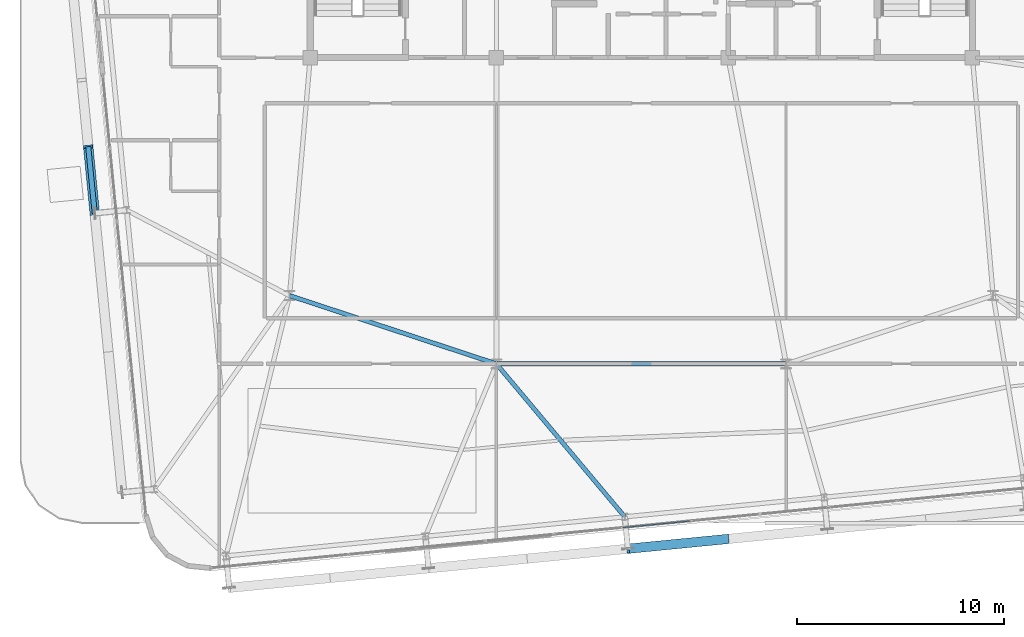
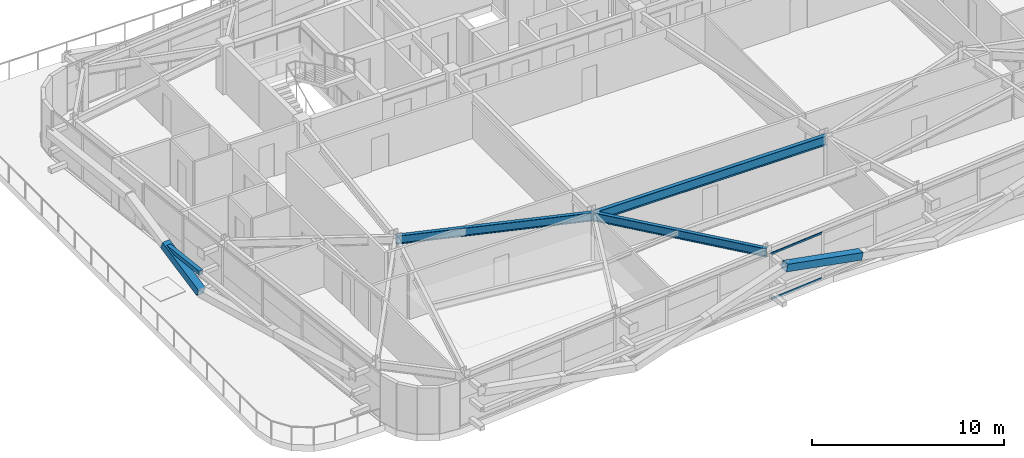
# One storey, part 12 of 51: 5 members, 3 beams, 1 element without a shape of its own.
"""IFC4 building model written with IfcOpenShell, lengths in metres."""

import ifcopenshell
import ifcopenshell.guid

model = None  # the IFC model being written
_history = None  # IfcOwnerHistory: only IFC2X3 demands one
_inside = {}  # id of a spatial element -> (the spatial element, [elements in it])
_under = {}  # id of a project, library or spatial element -> (it, [spatial elements below it])
_declared = {}  # id of a project -> (the project, [libraries it declares])
_typed = {}  # id of a type object -> (the type object, [elements of that type])
_made_of = {}  # id of a material, layer set ... -> (it, [elements and type objects made of it])


def new_model(schema):
    """Start an empty IFC model of exactly this schema.

    Asked for "IFC4X3", IfcOpenShell would pick the latest addendum, in which some entities
    have other attributes; the version numbers below select the first issue.
    IFC2X3 requires an IfcOwnerHistory on every rooted entity: one is made here for all.
    """
    global model, _history
    if schema == "IFC4X3":
        model = ifcopenshell.file(schema_version=(4, 3, 0, 0))
    else:
        model = ifcopenshell.file(schema=schema)
    _inside.clear()
    _under.clear()
    _declared.clear()
    _typed.clear()
    _made_of.clear()
    _history = None
    if model.schema == "IFC2X3":
        org = make("IfcOrganization", Name="unknown")
        user = make(
            "IfcPersonAndOrganization",
            ThePerson=make("IfcPerson", FamilyName="unknown"),
            TheOrganization=org,
        )
        app = make(
            "IfcApplication",
            ApplicationDeveloper=org,
            Version="unknown",
            ApplicationFullName="unknown",
            ApplicationIdentifier="unknown",
        )
        _history = make(
            "IfcOwnerHistory",
            OwningUser=user,
            OwningApplication=app,
            ChangeAction="ADDED",
            CreationDate=0,
        )
    return model


def make(cls, **values):
    """One entity of the class cls with the attributes given. An attribute that is None is left unset."""
    return model.create_entity(
        cls, **{name: value for name, value in values.items() if value is not None}
    )


def rooted(cls, **values):
    """An entity with a GlobalId (a new one), such as an element, a storey or a relation."""
    return make(cls, GlobalId=ifcopenshell.guid.new(), OwnerHistory=_history, **values)


def si_unit(unit_type, name, prefix=None):
    """IfcSIUnit, for example si_unit("LENGTHUNIT", "METRE", prefix="MILLI")."""
    return make("IfcSIUnit", UnitType=unit_type, Prefix=prefix, Name=name)


def assignment(units):
    """IfcUnitAssignment: the units of a project."""
    return None if units is None else make("IfcUnitAssignment", Units=units)


def point(xyz):
    """IfcCartesianPoint."""
    return None if xyz is None else make("IfcCartesianPoint", Coordinates=xyz)


def direction(xyz):
    """IfcDirection."""
    return None if xyz is None else make("IfcDirection", DirectionRatios=xyz)


def frame(location, z_axis=None, x_axis=None):
    """IfcAxis2Placement3D, a coordinate frame: its origin and axes. An axis left out is left unset."""
    return make(
        "IfcAxis2Placement3D",
        Location=point(location),
        Axis=direction(z_axis),
        RefDirection=direction(x_axis),
    )


def frame_2d(location, x_axis=None):
    """IfcAxis2Placement2D, a coordinate frame in the plane: its origin and x axis."""
    return make(
        "IfcAxis2Placement2D", Location=point(location), RefDirection=direction(x_axis)
    )


def origin():
    """The frame at (0, 0, 0) with its axes left unset."""
    return frame((0.0, 0.0, 0.0))


def origin_2d():
    """The frame at (0, 0) in the plane with its x axis left unset."""
    return frame_2d((0.0, 0.0))


def place(relative_to, where):
    """IfcLocalPlacement: puts the frame where relative to a parent placement (None: the world)."""
    return make(
        "IfcLocalPlacement", PlacementRelTo=relative_to, RelativePlacement=where
    )


def context(
    kind, dimensions, precision=None, world=None, true_north=None, identifier=None
):
    """IfcGeometricRepresentationContext, for example the 3D "Model" context."""
    return make(
        "IfcGeometricRepresentationContext",
        ContextIdentifier=identifier,
        ContextType=kind,
        CoordinateSpaceDimension=dimensions,
        Precision=precision,
        WorldCoordinateSystem=world,
        TrueNorth=true_north,
    )


def subcontext(parent, identifier, kind, view, scale=None):
    """IfcGeometricRepresentationSubContext, for example "Body" below "Model"."""
    return make(
        "IfcGeometricRepresentationSubContext",
        ContextIdentifier=identifier,
        ContextType=kind,
        ParentContext=parent,
        TargetScale=scale,
        TargetView=view,
    )


def project(units=None, contexts=None):
    """IfcProject with its units and contexts."""
    return rooted(
        "IfcProject",
        Name="project",
        RepresentationContexts=contexts,
        UnitsInContext=assignment(units),
    )


def spatial(cls, under=None, at=None, **own):
    """A site, building, storey or space (cls), placed at a placement, below another one or the project."""
    s = rooted(cls, ObjectPlacement=at, **own)
    if under is not None:
        _under.setdefault(under.id(), (under, []))[1].append(s)
    return s


def profile(cls, at=None, kind="AREA", **sizes):
    """A parametric profile (cls). Its sizes go by their IFC names, for example OverallWidth=200.0."""
    return make(cls, ProfileType=kind, Position=at, **sizes)


def hollow_rectangle(**sizes):
    """IfcRectangleHollowProfileDef."""
    return profile("IfcRectangleHollowProfileDef", **sizes)


def i_section(**sizes):
    """IfcIShapeProfileDef."""
    return profile("IfcIShapeProfileDef", **sizes)


def extrude(swept, where, along, depth):
    """IfcExtrudedAreaSolid: the profile swept, set in the frame where, extruded along a direction by depth."""
    return make(
        "IfcExtrudedAreaSolid",
        SweptArea=swept,
        Position=where,
        ExtrudedDirection=direction(along),
        Depth=depth,
    )


def shape(context_of_items, identifier, shape_type, items):
    """IfcShapeRepresentation: the items that make up one representation, for example the "Body"."""
    return make(
        "IfcShapeRepresentation",
        ContextOfItems=context_of_items,
        RepresentationIdentifier=identifier,
        RepresentationType=shape_type,
        Items=items,
    )


def source(mapping_origin, context_of_items, identifier, shape_type, items):
    """IfcRepresentationMap: a shape defined once, which mapped items show again and again."""
    return make(
        "IfcRepresentationMap",
        MappingOrigin=mapping_origin,
        MappedRepresentation=shape(context_of_items, identifier, shape_type, items),
    )


def transform(
    local_origin,
    x_axis=None,
    y_axis=None,
    z_axis=None,
    scale=None,
    scale2=None,
    scale3=None,
    uniform=True,
):
    """IfcCartesianTransformationOperator3D, or its non-uniform kind. x_axis, y_axis, z_axis: its Axis1, 2, 3."""
    if uniform:
        return make(
            "IfcCartesianTransformationOperator3D",
            Axis1=direction(x_axis),
            Axis2=direction(y_axis),
            LocalOrigin=point(local_origin),
            Scale=scale,
            Axis3=direction(z_axis),
        )
    return make(
        "IfcCartesianTransformationOperator3DnonUniform",
        Axis1=direction(x_axis),
        Axis2=direction(y_axis),
        LocalOrigin=point(local_origin),
        Scale=scale,
        Axis3=direction(z_axis),
        Scale2=scale2,
        Scale3=scale3,
    )


def mapped(mapping_source, mapping_target):
    """IfcMappedItem: shows the shape of a source again, moved by a transform."""
    return make(
        "IfcMappedItem", MappingSource=mapping_source, MappingTarget=mapping_target
    )


def material(Name=None, Category=None):
    """IfcMaterial."""
    return make("IfcMaterial", Name=Name, Category=Category)


def layer(
    of_material, thickness, ventilated=None, Name=None, Category=None, Priority=None
):
    """IfcMaterialLayer: one layer of a wall or slab, of a material (None: an air gap)."""
    return make(
        "IfcMaterialLayer",
        Material=of_material,
        LayerThickness=thickness,
        IsVentilated=ventilated,
        Name=Name,
        Category=Category,
        Priority=Priority,
    )


def layer_set(layers, Name=None):
    """IfcMaterialLayerSet."""
    return make("IfcMaterialLayerSet", MaterialLayers=layers, LayerSetName=Name)


def material_profile(
    of_material, cross_section, Name=None, Category=None, Priority=None
):
    """IfcMaterialProfile: a cross section and its material."""
    return make(
        "IfcMaterialProfile",
        Name=Name,
        Material=of_material,
        Profile=cross_section,
        Priority=Priority,
        Category=Category,
    )


def profile_set(profiles, Name=None, composite=None):
    """IfcMaterialProfileSet."""
    return make(
        "IfcMaterialProfileSet",
        Name=Name,
        MaterialProfiles=profiles,
        CompositeProfile=composite,
    )


def made_of(thing, what):
    """Note that an element or type object is made of a material, layer set ...; save() writes the relation."""
    if what is not None:
        _made_of.setdefault(what.id(), (what, []))[1].append(thing)
    return thing


def type_object(cls, material=None, **own):
    """A type object (cls), such as IfcWallType, which elements share."""
    return made_of(rooted(cls, **own), material)


def element(
    cls,
    number,
    at=None,
    inside=None,
    cuts=None,
    type_object=None,
    material=None,
    context=None,
    identifier="Body",
    shape_type=None,
    held_by="IfcProductDefinitionShape",
    body=None,
    shapes=None,
    **own,
):
    """One element of the class cls, such as IfcWall. Its Tag is "e" and its number.

    at: its placement. inside: the storey or other place that contains it. cuts: it is an
    opening in that element (IfcRelVoidsElement). A single representation is given by context,
    identifier, shape_type and body (its items); several are given by shapes. held_by: the class
    of the entity that holds the representations. save() writes the other relations.
    """
    e = rooted(cls, Tag="e%d" % number, ObjectPlacement=at, **own)
    if body is not None:
        shapes = [shape(context, identifier, shape_type, body)]
    if shapes is not None:
        e.Representation = make(held_by, Representations=shapes)
    if inside is not None:
        _inside.setdefault(inside.id(), (inside, []))[1].append(e)
    if cuts is not None:
        rooted(
            "IfcRelVoidsElement", RelatingBuildingElement=cuts, RelatedOpeningElement=e
        )
    if type_object is not None:
        _typed.setdefault(type_object.id(), (type_object, []))[1].append(e)
    return made_of(e, material)


def aggregate(whole, parts):
    """IfcRelAggregates: a whole, such as a stair, and the parts it consists of."""
    return rooted("IfcRelAggregates", RelatingObject=whole, RelatedObjects=parts)


def save(model, path):
    """Write the relations noted so far, then the file.

    IfcRelAggregates (storeys below a building ...), IfcRelContainedInSpatialStructure (elements
    in a storey), IfcRelDefinesByType, IfcRelAssociatesMaterial and IfcRelDeclares: one each for
    every whole, place, type object, material and project.
    """
    for whole, parts in _under.values():
        aggregate(whole, parts)
    for where, things in _inside.values():
        rooted(
            "IfcRelContainedInSpatialStructure",
            RelatedElements=things,
            RelatingStructure=where,
        )
    for kind, things in _typed.values():
        rooted("IfcRelDefinesByType", RelatedObjects=things, RelatingType=kind)
    for what, things in _made_of.values():
        rooted("IfcRelAssociatesMaterial", RelatedObjects=things, RelatingMaterial=what)
    for by, libraries in _declared.values():
        rooted("IfcRelDeclares", RelatingContext=by, RelatedDefinitions=libraries)
    model.write(path)


model = new_model("IFC4")

# Units and contexts
model_context = context("Model", 3, precision=1e-05, world=origin(), true_north=direction((0.0, 1.0)))
body_context = subcontext(model_context, "Body", "Model", "MODEL_VIEW")
ifc_project = project(units=[si_unit("LENGTHUNIT", "METRE"), si_unit("AREAUNIT", "SQUARE_METRE"), si_unit("VOLUMEUNIT", "CUBIC_METRE"), si_unit("PLANEANGLEUNIT", "RADIAN"), si_unit("MASSUNIT", "GRAM", prefix="KILO")], contexts=[model_context])

# Site, building, storey
site_placement = place(None, origin())
site = spatial("IfcSite", under=ifc_project, at=site_placement, CompositionType="ELEMENT")
building_placement = place(site_placement, origin())
building = spatial("IfcBuilding", under=site, at=building_placement, Name="Taldren Reach Tower", CompositionType="ELEMENT")
storey_placement = place(building_placement, frame((0.0, 0.0, 65.10009765625)))
storey = spatial("IfcBuildingStorey", under=building, at=storey_placement, Name="L19", CompositionType="ELEMENT", Elevation=65.10009765625)

# Beams
ifc_material_1 = material(Name="Steel Gr 350 (350PLUS)", Category="steel")
ifc_material_profile_1 = material_profile(ifc_material_1, i_section(OverallWidth=0.208984375, OverallDepth=0.532958984375, WebThickness=0.01025390625, FlangeThickness=0.015625, at=origin_2d()), Name="530UB92.4")
ifc_profile_set_1 = profile_set([ifc_material_profile_1], Name="Steel Gr 350 (350PLUS)")
beam_type_1 = type_object("IfcBeamType", Name="BM-UB530A", PredefinedType="BEAM", material=ifc_profile_set_1)
shared_shape_1 = source(origin(), body_context, "Body", "SweptSolid", [
    extrude(i_section(OverallWidth=0.208984375, OverallDepth=0.532958984375, WebThickness=0.01025390625, FlangeThickness=0.015625, at=origin_2d()), origin(), (0.0, 0.0, 1.0), 10.530517578125),
])
beam_1_placement = place(storey_placement, frame((18.0, 12.5, 2.663330078125), z_axis=(0.949627269203, -0.313381635689, 0.0), x_axis=(0.313381635689, 0.949627269203, 0.0)))
element("IfcBeam", 1, at=beam_1_placement, inside=storey, type_object=beam_type_1, Name="Core-spine girder L19-SP10", PredefinedType="BEAM", context=body_context, shape_type="MappedRepresentation", body=[
    mapped(shared_shape_1, transform((0.0, 0.0, 0.0), scale=1.0)),
])
ifc_material_profile_2 = material_profile(ifc_material_1, i_section(OverallWidth=0.22802734375, OverallDepth=0.60205078125, WebThickness=0.010498046875, FlangeThickness=0.014892578125, at=origin_2d()), Name="610UB101")
ifc_profile_set_2 = profile_set([ifc_material_profile_2], Name="Steel Gr 350 (350PLUS)")
beam_type_2 = type_object("IfcBeamType", Name="BM-UB610B", PredefinedType="BEAM", material=ifc_profile_set_2)
shared_shape_2 = source(origin(), body_context, "Body", "SweptSolid", [
    extrude(i_section(OverallWidth=0.22802734375, OverallDepth=0.60205078125, WebThickness=0.010498046875, FlangeThickness=0.014892578125, at=origin_2d()), origin(), (0.0, 0.0, 1.0), 14.0),
])
beam_2_placement = place(storey_placement, frame((28.0, 9.199951171875, 2.62890625), z_axis=(1.0, 0.0, 0.0), x_axis=(0.0, 1.0, 0.0)))
element("IfcBeam", 2, at=beam_2_placement, inside=storey, type_object=beam_type_2, Name="Core-spine girder L19-SP11", PredefinedType="BEAM", context=body_context, shape_type="MappedRepresentation", body=[
    mapped(shared_shape_2, transform((0.0, 0.0, 0.0), scale=1.0)),
])
shared_shape_3 = source(origin(), body_context, "Body", "SweptSolid", [
    extrude(i_section(OverallWidth=0.208984375, OverallDepth=0.532958984375, WebThickness=0.01025390625, FlangeThickness=0.015625, at=origin_2d()), origin(), (0.0, 0.0, 1.0), 9.64794921875),
])
beam_3_placement = place(storey_placement, frame((28.0, 9.199951171875, 2.663330078125), z_axis=(0.642799132398, -0.766034774268, 0.0), x_axis=(0.766034774268, 0.642799132398, 0.0)))
element("IfcBeam", 3, at=beam_3_placement, inside=storey, type_object=beam_type_1, Name="Primary floor girder B2-S3 L19", PredefinedType="BEAM", context=body_context, shape_type="MappedRepresentation", body=[
    mapped(shared_shape_3, transform((0.0, 0.0, 0.0), scale=1.0)),
])

# Members
ifc_material_2 = material(Name="Steel Gr 450 (C450L0)", Category="steel")
ifc_material_profile_3 = material_profile(ifc_material_2, hollow_rectangle(XDim=0.4599609375, YDim=0.4599609375, WallThickness=0.01611328125, at=origin_2d()), Name="460x460x16.0SHS")
ifc_profile_set_3 = profile_set([ifc_material_profile_3], Name="Steel Gr 450 (C450L0)")
member_type_1 = type_object("IfcMemberType", Name="MB-EXO457", PredefinedType="BRACE", material=ifc_profile_set_3)
shared_shape_4 = source(origin(), body_context, "Body", "SweptSolid", [
    extrude(hollow_rectangle(XDim=0.4599609375, YDim=0.4599609375, WallThickness=0.01611328125, at=origin_2d()), origin(), (0.0, 0.0, 1.0), 4.990234375),
])
member_1_placement = place(storey_placement, frame((39.169921875, 0.739013671875, 1.434814453125), z_axis=(-0.965271056716, -0.094667992638, 0.243494883389), x_axis=(0.097605711627, -0.995225162995, 0.0)))
element("IfcMember", 4, at=member_1_placement, inside=storey, type_object=member_type_1, Name="Exoskeleton Diagrid Brace B2-S3 L19", PredefinedType="BRACE", context=body_context, shape_type="MappedRepresentation", body=[
    mapped(shared_shape_4, transform((0.0, 0.0, 0.0), scale=1.0)),
])
shared_shape_5 = source(origin(), body_context, "Body", "SweptSolid", [
    extrude(hollow_rectangle(XDim=0.4599609375, YDim=0.4599609375, WallThickness=0.01611328125, at=origin_2d()), origin(), (0.0, 0.0, 1.0), 3.453369140625),
])
member_2_placement = place(storey_placement, frame((8.587890625, 16.479736328125, 0.219970703125), z_axis=(-0.091337756113, 0.931616834411, 0.35177761178), x_axis=(-0.995228237523, -0.097574357481, 0.0)))
element("IfcMember", 5, at=member_2_placement, inside=storey, type_object=member_type_1, Name="Exoskeleton Diagrid Brace B2-W2 L19", PredefinedType="BRACE", context=body_context, shape_type="MappedRepresentation", body=[
    mapped(shared_shape_5, transform((0.0, 0.0, 0.0), scale=1.0)),
])
ifc_material_3 = material(Name="Steel Gr 350 (C350L0)", Category="steel")
ifc_material_profile_4 = material_profile(ifc_material_3, hollow_rectangle(XDim=0.25, YDim=0.25, WallThickness=0.010009765625, at=origin_2d()), Name="250x250x10.0SHS")
ifc_profile_set_4 = profile_set([ifc_material_profile_4], Name="Steel Gr 350 (C350L0)")
member_type_2 = type_object("IfcMemberType", Name="MB-POST250", PredefinedType="POST", material=ifc_profile_set_4)
shared_shape_6 = source(origin(), body_context, "Body", "SweptSolid", [
    extrude(hollow_rectangle(XDim=0.25, YDim=0.25, WallThickness=0.010009765625, at=origin_2d()), origin(), (0.0, 0.0, 1.0), 3.232666015625),
])
member_3_placement = place(storey_placement, frame((8.587890625, 16.479736328125, 1.434814453125), z_axis=(-0.097574357481, 0.995228237523, 0.0), x_axis=(-0.995228237523, -0.097574357481, 0.0)))
element("IfcMember", 6, at=member_3_placement, inside=storey, type_object=member_type_2, Name="Exoskeleton mid-height ring chord B2-W2 L19", PredefinedType="POST", context=body_context, shape_type="MappedRepresentation", body=[
    mapped(shared_shape_6, transform((0.0, 0.0, 0.0), scale=1.0)),
])

# Curtain wall, members
ifc_material_4 = material(Name="Aluminium and Low-E Glass Unitised System", Category="aluminium")
ifc_layer = layer(ifc_material_4, 0.159912109375)
ifc_layer_set = layer_set([ifc_layer], Name="Aluminium and Low-E Glass Unitised System")
curtain_wall_type = type_object("IfcCurtainWallType", Name="CW-SYS-3", PredefinedType="NOTDEFINED", material=ifc_layer_set)
curtain_wall_placement = place(storey_placement, origin())
curtain_wall = element("IfcCurtainWall", 7, at=curtain_wall_placement, inside=storey, type_object=curtain_wall_type, Name="Unitised curtain wall CW-L19-S", PredefinedType="NOTDEFINED")
ifc_material_5 = material(Name="Anodised Aluminium 6063-T6", Category="aluminium")
ifc_material_profile_5 = material_profile(ifc_material_5, hollow_rectangle(XDim=0.054931640625, YDim=0.1201171875, WallThickness=0.0029296875, at=origin_2d()), Name="ALU-120x55x3RHS")
ifc_profile_set_5 = profile_set([ifc_material_profile_5], Name="Anodised Aluminium 6063-T6")
member_type_3 = type_object("IfcMemberType", Name="CW-TRN-135", PredefinedType="USERDEFINED", material=ifc_profile_set_5)
shared_shape_7 = source(origin(), body_context, "Body", "SweptSolid", [
    extrude(hollow_rectangle(XDim=0.054931640625, YDim=0.1201171875, WallThickness=0.0029296875, at=origin_2d()), origin(), (0.0, 0.0, 1.0), 3.268310546875),
])
member_4_placement = place(storey_placement, frame((34.124755859375, 1.289306640625, 0.02734375), z_axis=(0.99522980512, 0.097558367146, 0.0), x_axis=(-0.097558367146, 0.99522980512, 0.0)))
member_4 = element("IfcMember", 8, at=member_4_placement, type_object=member_type_3, Name="CW-3 transom 7.1", ObjectType="TRANSOM", PredefinedType="USERDEFINED", context=body_context, shape_type="MappedRepresentation", body=[
    mapped(shared_shape_7, transform((0.0, 0.0, 0.0), scale=1.0)),
])
member_5_placement = place(storey_placement, frame((34.124755859375, 1.289306640625, 2.90234375), z_axis=(0.99522980512, 0.097558367146, 0.0), x_axis=(-0.097558367146, 0.99522980512, 0.0)))
member_5 = element("IfcMember", 9, at=member_5_placement, type_object=member_type_3, Name="CW-3 transom 7.2", ObjectType="TRANSOM", PredefinedType="USERDEFINED", context=body_context, shape_type="MappedRepresentation", body=[
    mapped(shared_shape_7, transform((0.0, 0.0, 0.0), scale=1.0)),
])
aggregate(curtain_wall, [member_4, member_5])

save(model, "model.ifc")
